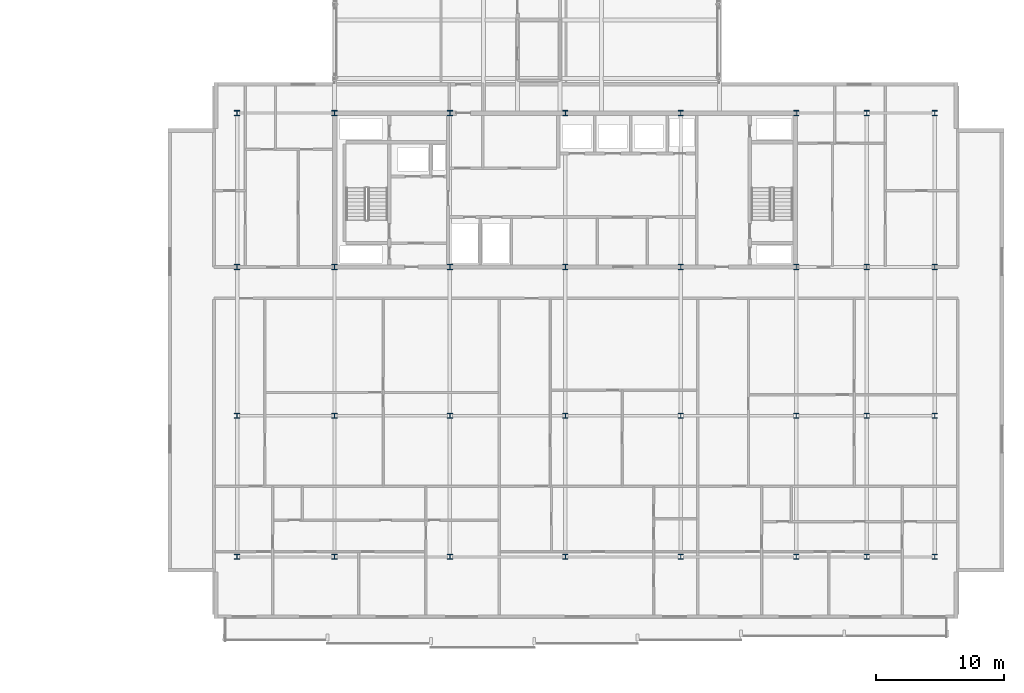
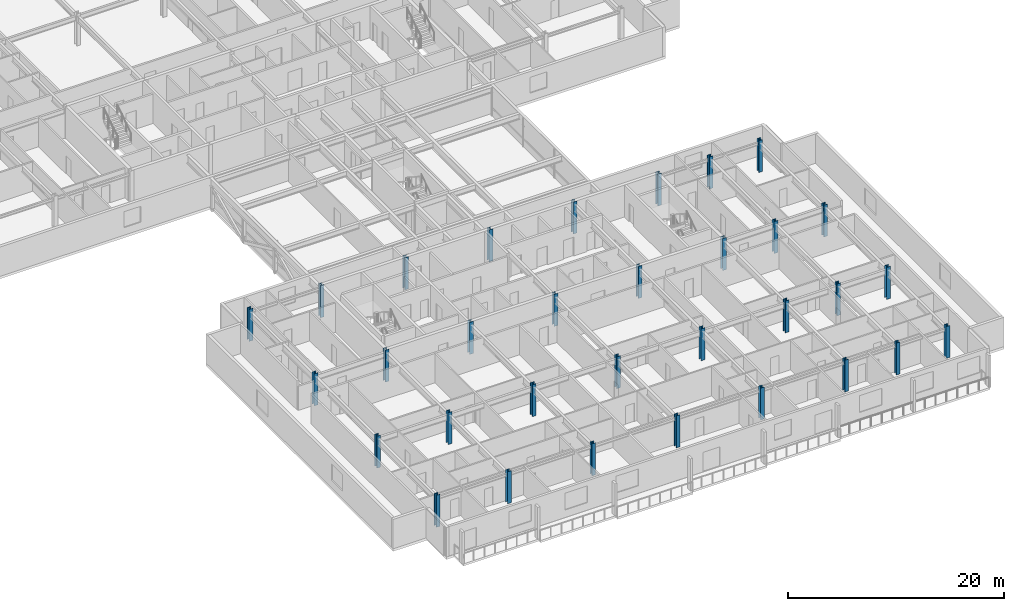
# One storey, part 1 of 36: 32 columns.
"""IFC4 building model written with IfcOpenShell, lengths in metres."""

from ifc_helpers import new_model, si_unit, direction, frame, origin, origin_2d, place, context, subcontext, project, spatial, i_section, extrude, material, material_profile, profile_set, type_object, element, save


model = new_model("IFC4")

# Units and contexts
model_context = context("Model", 3, precision=1e-05, world=origin(), true_north=direction((0.0, 1.0)))
body_context = subcontext(model_context, "Body", "Model", "MODEL_VIEW")
ifc_project = project(units=[si_unit("LENGTHUNIT", "METRE"), si_unit("AREAUNIT", "SQUARE_METRE"), si_unit("VOLUMEUNIT", "CUBIC_METRE"), si_unit("PLANEANGLEUNIT", "RADIAN"), si_unit("MASSUNIT", "GRAM", prefix="KILO")], contexts=[model_context])

# Site, building, storey
site_placement = place(None, origin())
site = spatial("IfcSite", under=ifc_project, at=site_placement, CompositionType="ELEMENT")
building_placement = place(site_placement, origin())
building = spatial("IfcBuilding", under=site, at=building_placement, Name="Korimba Cascade Residences", CompositionType="ELEMENT")
storey_placement = place(building_placement, frame((0.0, 0.0, 142.89990234375)))
storey = spatial("IfcBuildingStorey", under=building, at=storey_placement, Name="L41", CompositionType="ELEMENT", Elevation=142.89990234375)

# Columns
ifc_material = material(Name="Steel S460", Category="steel")
ifc_material_profile = material_profile(ifc_material, i_section(OverallWidth=0.403076171875, OverallDepth=0.406494140625, WebThickness=0.026611328125, FlangeThickness=0.04296875, FilletRadius=0.01513671875, at=origin_2d()), Name="Steel S460")
ifc_profile_set = profile_set([ifc_material_profile], Name="Steel S460")
column_type = type_object("IfcColumnType", Name="COL-STL-UC340", PredefinedType="COLUMN", material=ifc_profile_set)
for number, where, z_axis, x_axis, name in (
    (1, (74.5, -4.199951171875, 0.0), (0.0, 0.0, 1.0), (1.0, 0.0, 0.0), "L41 Tower 2 Column 1.1"),
    (2, (74.5, 6.800048828125, 0.0), (0.0, 0.0, 1.0), (1.0, 0.0, 0.0), "L41 Tower 2 Column 1.2"),
    (3, (74.5, 18.39990234375, 0.0), (0.0, 0.0, 1.0), (1.0, 0.0, 0.0), "L41 Tower 2 Column 1.3"),
    (4, (74.5, 30.39990234375, 0.0), (0.0, 0.0, 1.0), (1.0, 0.0, 0.0), "L41 Tower 2 Column 1.4"),
    (5, (82.10009765625, -4.199951171875, 0.0), (0.0, 0.0, 1.0), (1.0, 0.0, 0.0), "L41 Tower 2 Column 2.1"),
    (6, (82.10009765625, 6.800048828125, 0.0), (0.0, 0.0, 1.0), (1.0, 0.0, 0.0), "L41 Tower 2 Column 2.2"),
    (7, (82.10009765625, 18.39990234375, 0.0), (0.0, 0.0, 1.0), (1.0, 0.0, 0.0), "L41 Tower 2 Column 2.3"),
    (8, (82.10009765625, 30.39990234375, 0.0), (0.0, 0.0, 1.0), (1.0, 0.0, 0.0), "L41 Tower 2 Column 2.4"),
    (9, (91.10009765625, -4.199951171875, 0.0), (0.0, 0.0, 1.0), (1.0, 0.0, 0.0), "L41 Tower 2 Column 3.1"),
    (10, (91.10009765625, 6.800048828125, 0.0), (0.0, 0.0, 1.0), (1.0, 0.0, 0.0), "L41 Tower 2 Column 3.2"),
    (11, (91.10009765625, 18.39990234375, 0.0), (0.0, 0.0, 1.0), (1.0, 0.0, 0.0), "L41 Tower 2 Column 3.3"),
    (12, (91.10009765625, 30.39990234375, 0.0), (0.0, 0.0, 1.0), (1.0, 0.0, 0.0), "L41 Tower 2 Column 3.4"),
    (13, (100.10009765625, -4.199951171875, 0.0), (0.0, 0.0, 1.0), (1.0, 0.0, 0.0), "L41 Tower 2 Column 4.1"),
    (14, (100.10009765625, 6.800048828125, 0.0), (0.0, 0.0, 1.0), (1.0, 0.0, 0.0), "L41 Tower 2 Column 4.2"),
    (15, (100.10009765625, 18.39990234375, 0.0), (0.0, 0.0, 1.0), (1.0, 0.0, 0.0), "L41 Tower 2 Column 4.3"),
    (16, (100.10009765625, 30.39990234375, 0.0), (0.0, 0.0, 1.0), (1.0, 0.0, 0.0), "L41 Tower 2 Column 4.4"),
    (17, (109.10009765625, -4.199951171875, 0.0), (0.0, 0.0, 1.0), (1.0, 0.0, 0.0), "L41 Tower 2 Column 5.1"),
    (18, (109.10009765625, 6.800048828125, 0.0), (0.0, 0.0, 1.0), (1.0, 0.0, 0.0), "L41 Tower 2 Column 5.2"),
    (19, (109.10009765625, 18.39990234375, 0.0), (0.0, 0.0, 1.0), (1.0, 0.0, 0.0), "L41 Tower 2 Column 5.3"),
    (20, (109.10009765625, 30.39990234375, 0.0), (0.0, 0.0, 1.0), (1.0, 0.0, 0.0), "L41 Tower 2 Column 5.4"),
    (21, (118.10009765625, -4.199951171875, 0.0), (0.0, 0.0, 1.0), (1.0, 0.0, 0.0), "L41 Tower 2 Column 6.1"),
    (22, (118.10009765625, 6.800048828125, 0.0), (0.0, 0.0, 1.0), (1.0, 0.0, 0.0), "L41 Tower 2 Column 6.2"),
    (23, (118.10009765625, 18.39990234375, 0.0), (0.0, 0.0, 1.0), (1.0, 0.0, 0.0), "L41 Tower 2 Column 6.3"),
    (24, (118.10009765625, 30.39990234375, 0.0), (0.0, 0.0, 1.0), (1.0, 0.0, 0.0), "L41 Tower 2 Column 6.4"),
    (25, (123.60009765625, -4.199951171875, 0.0), (0.0, 0.0, 1.0), (1.0, 0.0, 0.0), "L41 Tower 2 Column 7.1"),
    (26, (123.60009765625, 6.800048828125, 0.0), (0.0, 0.0, 1.0), (1.0, 0.0, 0.0), "L41 Tower 2 Column 7.2"),
    (27, (123.60009765625, 18.39990234375, 0.0), (0.0, 0.0, 1.0), (1.0, 0.0, 0.0), "L41 Tower 2 Column 7.3"),
    (28, (123.60009765625, 30.39990234375, 0.0), (0.0, 0.0, 1.0), (1.0, 0.0, 0.0), "L41 Tower 2 Column 7.4"),
    (29, (128.89990234375, -4.199951171875, 0.0), (0.0, 0.0, 1.0), (1.0, 0.0, 0.0), "L41 Tower 2 Column 8.1"),
    (30, (128.89990234375, 6.800048828125, 0.0), (0.0, 0.0, 1.0), (1.0, 0.0, 0.0), "L41 Tower 2 Column 8.2"),
    (31, (128.89990234375, 18.39990234375, 0.0), (0.0, 0.0, 1.0), (1.0, 0.0, 0.0), "L41 Tower 2 Column 8.3"),
    (32, (128.89990234375, 30.39990234375, 0.0), (0.0, 0.0, 1.0), (1.0, 0.0, 0.0), "L41 Tower 2 Column 8.4"),
):
    element("IfcColumn", number, at=place(storey_placement, frame(where, z_axis=z_axis, x_axis=x_axis)), inside=storey, type_object=column_type, Name=name, PredefinedType="COLUMN", context=body_context, shape_type="SweptSolid", body=[
        extrude(i_section(OverallWidth=0.403076171875, OverallDepth=0.406494140625, WebThickness=0.026611328125, FlangeThickness=0.04296875, FilletRadius=0.01513671875, at=origin_2d()), origin(), (0.0, 0.0, 1.0), 3.60009765625),
    ])

save(model, "model.ifc")
